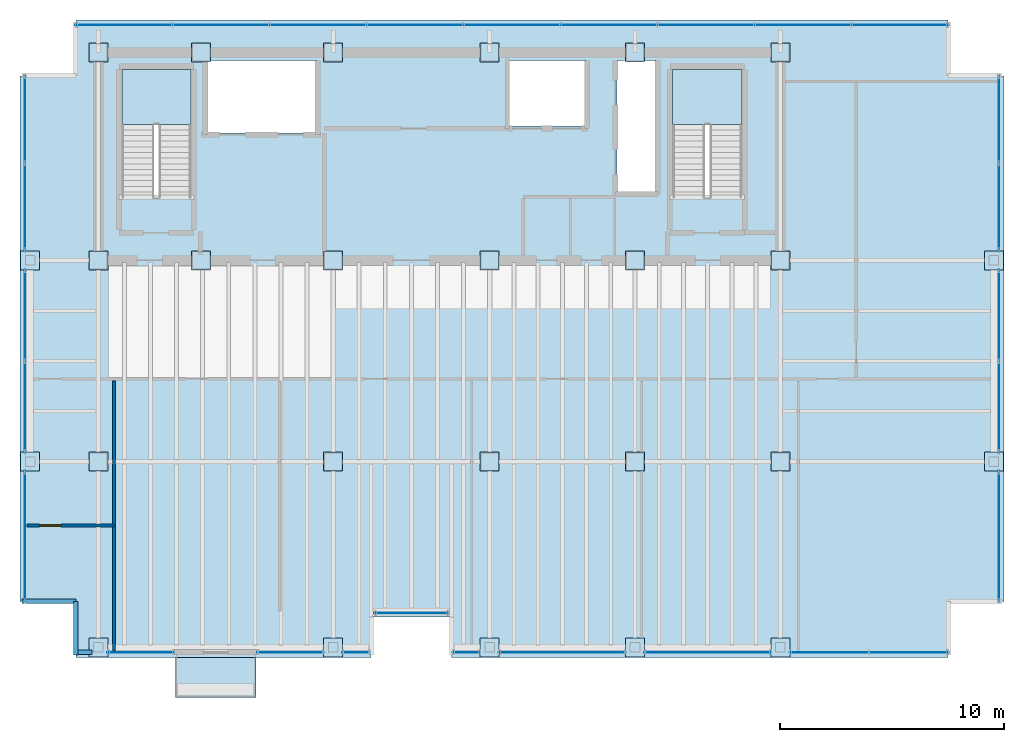
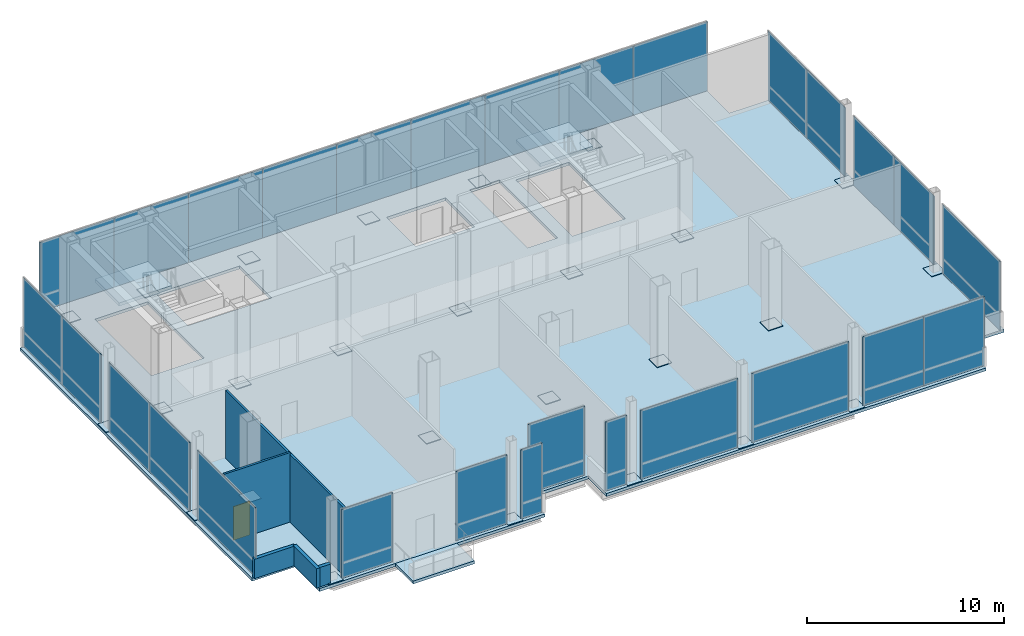
# One storey, part 12 of 15: 54 plates, 5 walls, 4 slabs, 1 door, 6 openings, 17 elements without a shape of their own.
"""IFC4 building model written with IfcOpenShell, lengths in metres."""

from ifc_helpers import new_model, si_unit, direction, frame, frame_2d, origin, origin_2d, place, context, subcontext, project, spatial, polyline, rectangle, outline, extrude, material, layer, layer_set, type_object, element, fill, aggregate, save


model = new_model("IFC4")

# Units and contexts
model_context = context("Model", 3, precision=1e-05, world=origin(), true_north=direction((0.0, 1.0)))
body_context = subcontext(model_context, "Body", "Model", "MODEL_VIEW")
ifc_project = project(units=[si_unit("LENGTHUNIT", "METRE"), si_unit("AREAUNIT", "SQUARE_METRE"), si_unit("VOLUMEUNIT", "CUBIC_METRE"), si_unit("PLANEANGLEUNIT", "RADIAN"), si_unit("MASSUNIT", "GRAM", prefix="KILO")], contexts=[model_context])

# Site, building, storey
site_placement = place(None, origin())
site = spatial("IfcSite", under=ifc_project, at=site_placement, CompositionType="ELEMENT")
building_placement = place(site_placement, origin())
building = spatial("IfcBuilding", under=site, at=building_placement, Name="Noeulbin Bourse Tower", CompositionType="ELEMENT")
storey_placement = place(building_placement, frame((0.0, 0.0, 206.10009765625)))
storey = spatial("IfcBuildingStorey", under=building, at=storey_placement, Name="L51", CompositionType="ELEMENT", Elevation=206.10009765625)

# Curtain wall, plate
ifc_material_1 = material(Name="High-Selectivity Low-Iron Glazing", Category="glass")
curtain_wall_type = type_object("IfcCurtainWallType", Name="CW-SYS-4", PredefinedType="NOTDEFINED", material=ifc_material_1)
curtain_wall_1_placement = place(storey_placement, origin())
curtain_wall_1 = element("IfcCurtainWall", 1, at=curtain_wall_1_placement, inside=storey, type_object=curtain_wall_type, Name="Unitised Curtain Wall CW-L51-SREC", PredefinedType="NOTDEFINED")
ifc_layer_1 = layer(ifc_material_1, 0.035888671875)
ifc_layer_set_1 = layer_set([ifc_layer_1], Name="High-Selectivity Low-Iron Glazing")
plate_type_1 = type_object("IfcPlateType", Name="CW-SYS-4-PNL", PredefinedType="CURTAIN_PANEL", material=ifc_layer_set_1)
plate_1_placement = place(storey_placement, frame((27.5, 13.22998046875, 0.0), z_axis=(0.0, 0.0, 1.0), x_axis=(1.0, 0.0, 0.0)))
plate_1 = element("IfcPlate", 2, at=plate_1_placement, type_object=plate_type_1, Name="Glazed Curtain Panel CW-L51-SREC-P00", PredefinedType="CURTAIN_PANEL", context=body_context, shape_type="SweptSolid", body=[
    extrude(rectangle(XDim=3.300048828125, YDim=0.035888671875, at=origin_2d()), origin(), (0.0, 0.0, 1.0), 4.280029296875),
])
aggregate(curtain_wall_1, [plate_1])

curtain_wall_2_placement = place(storey_placement, origin())
curtain_wall_2 = element("IfcCurtainWall", 3, at=curtain_wall_2_placement, inside=storey, type_object=curtain_wall_type, Name="Unitised Curtain Wall CW-L51-S1", PredefinedType="NOTDEFINED")
plate_2_placement = place(storey_placement, frame((15.405029296875, 11.469970703125, 0.0), z_axis=(0.0, 0.0, 1.0), x_axis=(1.0, 0.0, 0.0)))
plate_2 = element("IfcPlate", 4, at=plate_2_placement, type_object=plate_type_1, Name="Glazed Curtain Panel CW-L51-S1-P00", PredefinedType="CURTAIN_PANEL", context=body_context, shape_type="SweptSolid", body=[
    extrude(rectangle(XDim=2.989990234375, YDim=0.035888671875, at=origin_2d()), origin(), (0.0, 0.0, 1.0), 4.280029296875),
])
aggregate(curtain_wall_2, [plate_2])

curtain_wall_3_placement = place(storey_placement, origin())
curtain_wall_3 = element("IfcCurtainWall", 5, at=curtain_wall_3_placement, inside=storey, type_object=curtain_wall_type, Name="Unitised Curtain Wall CW-L51-S2-S1", PredefinedType="NOTDEFINED")
plate_3_placement = place(storey_placement, frame((22.094970703125, 11.469970703125, 0.0), z_axis=(0.0, 0.0, 1.0), x_axis=(1.0, 0.0, 0.0)))
plate_3 = element("IfcPlate", 6, at=plate_3_placement, type_object=plate_type_1, Name="Glazed Curtain Panel CW-L51-S2-S1-P00", PredefinedType="CURTAIN_PANEL", context=body_context, shape_type="SweptSolid", body=[
    extrude(rectangle(XDim=2.989990234375, YDim=0.035888671875, at=origin_2d()), origin(), (0.0, 0.0, 1.0), 4.280029296875),
])
aggregate(curtain_wall_3, [plate_3])

curtain_wall_4_placement = place(storey_placement, origin())
curtain_wall_4 = element("IfcCurtainWall", 7, at=curtain_wall_4_placement, inside=storey, type_object=curtain_wall_type, Name="Unitised Curtain Wall CW-L51-S2-S2", PredefinedType="NOTDEFINED")
plate_4_placement = place(storey_placement, frame((25.030029296875, 11.469970703125, 0.0), z_axis=(0.0, 0.0, 1.0), x_axis=(1.0, 0.0, 0.0)))
plate_4 = element("IfcPlate", 8, at=plate_4_placement, type_object=plate_type_1, Name="Glazed Curtain Panel CW-L51-S2-S2-P00", PredefinedType="CURTAIN_PANEL", context=body_context, shape_type="SweptSolid", body=[
    extrude(rectangle(XDim=1.239990234375, YDim=0.035888671875, at=origin_2d()), origin(), (0.0, 0.0, 1.0), 4.280029296875),
])
aggregate(curtain_wall_4, [plate_4])

curtain_wall_5_placement = place(storey_placement, origin())
curtain_wall_5 = element("IfcCurtainWall", 9, at=curtain_wall_5_placement, inside=storey, type_object=curtain_wall_type, Name="Unitised Curtain Wall CW-L51-S3-S1", PredefinedType="NOTDEFINED")
plate_5_placement = place(storey_placement, frame((29.969970703125, 11.469970703125, 0.0), z_axis=(0.0, 0.0, 1.0), x_axis=(1.0, 0.0, 0.0)))
plate_5 = element("IfcPlate", 10, at=plate_5_placement, type_object=plate_type_1, Name="Glazed Curtain Panel CW-L51-S3-S1-P00", PredefinedType="CURTAIN_PANEL", context=body_context, shape_type="SweptSolid", body=[
    extrude(rectangle(XDim=1.239990234375, YDim=0.035888671875, at=origin_2d()), origin(), (0.0, 0.0, 1.0), 4.280029296875),
])
aggregate(curtain_wall_5, [plate_5])

curtain_wall_6_placement = place(storey_placement, origin())
curtain_wall_6 = element("IfcCurtainWall", 11, at=curtain_wall_6_placement, inside=storey, type_object=curtain_wall_type, Name="Unitised Curtain Wall CW-L51-S3-S2", PredefinedType="NOTDEFINED")
plate_6_placement = place(storey_placement, frame((34.25, 11.469970703125, 0.0), z_axis=(0.0, 0.0, 1.0), x_axis=(1.0, 0.0, 0.0)))
plate_6 = element("IfcPlate", 12, at=plate_6_placement, type_object=plate_type_1, Name="Glazed Curtain Panel CW-L51-S3-S2-P00", PredefinedType="CURTAIN_PANEL", context=body_context, shape_type="SweptSolid", body=[
    extrude(rectangle(XDim=5.679931640625, YDim=0.035888671875, at=origin_2d()), origin(), (0.0, 0.0, 1.0), 4.280029296875),
])
aggregate(curtain_wall_6, [plate_6])

curtain_wall_7_placement = place(storey_placement, origin())
curtain_wall_7 = element("IfcCurtainWall", 13, at=curtain_wall_7_placement, inside=storey, type_object=curtain_wall_type, Name="Unitised Curtain Wall CW-L51-S3-S3", PredefinedType="NOTDEFINED")
plate_7_placement = place(storey_placement, frame((40.75, 11.469970703125, 0.0), z_axis=(0.0, 0.0, 1.0), x_axis=(1.0, 0.0, 0.0)))
plate_7 = element("IfcPlate", 14, at=plate_7_placement, type_object=plate_type_1, Name="Glazed Curtain Panel CW-L51-S3-S3-P00", PredefinedType="CURTAIN_PANEL", context=body_context, shape_type="SweptSolid", body=[
    extrude(rectangle(XDim=5.679931640625, YDim=0.035888671875, at=origin_2d()), origin(), (0.0, 0.0, 1.0), 4.280029296875),
])
aggregate(curtain_wall_7, [plate_7])

# Curtain wall, plates
curtain_wall_8_placement = place(storey_placement, origin())
curtain_wall_8 = element("IfcCurtainWall", 15, at=curtain_wall_8_placement, inside=storey, type_object=curtain_wall_type, Name="Unitised Curtain Wall CW-L51-S3-S4", PredefinedType="NOTDEFINED")
plate_8_placement = place(storey_placement, frame((46.1875, 11.469970703125, 0.0), z_axis=(0.0, 0.0, 1.0), x_axis=(1.0, 0.0, 0.0)))
plate_8 = element("IfcPlate", 16, at=plate_8_placement, type_object=plate_type_1, Name="Glazed Curtain Panel CW-L51-S3-S4-P00", PredefinedType="CURTAIN_PANEL", context=body_context, shape_type="SweptSolid", body=[
    extrude(rectangle(XDim=3.554931640625, YDim=0.035888671875, at=origin_2d()), origin(), (0.0, 0.0, 1.0), 4.280029296875),
])
plate_9_placement = place(storey_placement, frame((49.742431640625, 11.469970703125, 0.0), z_axis=(0.0, 0.0, 1.0), x_axis=(1.0, 0.0, 0.0)))
plate_9 = element("IfcPlate", 17, at=plate_9_placement, type_object=plate_type_1, Name="Glazed Curtain Panel CW-L51-S3-S4-P01", PredefinedType="CURTAIN_PANEL", context=body_context, shape_type="SweptSolid", body=[
    extrude(rectangle(XDim=3.554931640625, YDim=0.035888671875, at=origin_2d()), origin(), (0.0, 0.0, 1.0), 4.280029296875),
])
aggregate(curtain_wall_8, [plate_8, plate_9])

curtain_wall_9_placement = place(storey_placement, origin())
curtain_wall_9 = element("IfcCurtainWall", 18, at=curtain_wall_9_placement, inside=storey, type_object=curtain_wall_type, Name="Unitised Curtain Wall CW-L51-N", PredefinedType="NOTDEFINED")
plate_10_placement = place(storey_placement, frame((14.64892578125, 39.530029296875, 0.0), z_axis=(0.0, 0.0, 1.0), x_axis=(1.0, 0.0, 0.0)))
plate_10 = element("IfcPlate", 19, at=plate_10_placement, type_object=plate_type_1, Name="Glazed Curtain Panel CW-L51-N-P00", PredefinedType="CURTAIN_PANEL", context=body_context, shape_type="SweptSolid", body=[
    extrude(rectangle(XDim=4.337890625, YDim=0.035888671875, at=origin_2d()), origin(), (0.0, 0.0, 1.0), 4.280029296875),
])
plate_11_placement = place(storey_placement, frame((18.98681640625, 39.530029296875, 0.0), z_axis=(0.0, 0.0, 1.0), x_axis=(1.0, 0.0, 0.0)))
plate_11 = element("IfcPlate", 20, at=plate_11_placement, type_object=plate_type_1, Name="Glazed Curtain Panel CW-L51-N-P01", PredefinedType="CURTAIN_PANEL", context=body_context, shape_type="SweptSolid", body=[
    extrude(rectangle(XDim=4.337890625, YDim=0.035888671875, at=origin_2d()), origin(), (0.0, 0.0, 1.0), 4.280029296875),
])
plate_12_placement = place(storey_placement, frame((23.324462890625, 39.530029296875, 0.0), z_axis=(0.0, 0.0, 1.0), x_axis=(1.0, 0.0, 0.0)))
plate_12 = element("IfcPlate", 21, at=plate_12_placement, type_object=plate_type_1, Name="Glazed Curtain Panel CW-L51-N-P02", PredefinedType="CURTAIN_PANEL", context=body_context, shape_type="SweptSolid", body=[
    extrude(rectangle(XDim=4.337890625, YDim=0.035888671875, at=origin_2d()), origin(), (0.0, 0.0, 1.0), 4.280029296875),
])
plate_13_placement = place(storey_placement, frame((27.662109375, 39.530029296875, 0.0), z_axis=(0.0, 0.0, 1.0), x_axis=(1.0, 0.0, 0.0)))
plate_13 = element("IfcPlate", 22, at=plate_13_placement, type_object=plate_type_1, Name="Glazed Curtain Panel CW-L51-N-P03", PredefinedType="CURTAIN_PANEL", context=body_context, shape_type="SweptSolid", body=[
    extrude(rectangle(XDim=4.337890625, YDim=0.035888671875, at=origin_2d()), origin(), (0.0, 0.0, 1.0), 4.280029296875),
])
plate_14_placement = place(storey_placement, frame((32.0, 39.530029296875, 0.0), z_axis=(0.0, 0.0, 1.0), x_axis=(1.0, 0.0, 0.0)))
plate_14 = element("IfcPlate", 23, at=plate_14_placement, type_object=plate_type_1, Name="Glazed Curtain Panel CW-L51-N-P04", PredefinedType="CURTAIN_PANEL", context=body_context, shape_type="SweptSolid", body=[
    extrude(rectangle(XDim=4.337890625, YDim=0.035888671875, at=origin_2d()), origin(), (0.0, 0.0, 1.0), 4.280029296875),
])
plate_15_placement = place(storey_placement, frame((36.337890625, 39.530029296875, 0.0), z_axis=(0.0, 0.0, 1.0), x_axis=(1.0, 0.0, 0.0)))
plate_15 = element("IfcPlate", 24, at=plate_15_placement, type_object=plate_type_1, Name="Glazed Curtain Panel CW-L51-N-P05", PredefinedType="CURTAIN_PANEL", context=body_context, shape_type="SweptSolid", body=[
    extrude(rectangle(XDim=4.337890625, YDim=0.035888671875, at=origin_2d()), origin(), (0.0, 0.0, 1.0), 4.280029296875),
])
plate_16_placement = place(storey_placement, frame((40.675537109375, 39.530029296875, 0.0), z_axis=(0.0, 0.0, 1.0), x_axis=(1.0, 0.0, 0.0)))
plate_16 = element("IfcPlate", 25, at=plate_16_placement, type_object=plate_type_1, Name="Glazed Curtain Panel CW-L51-N-P06", PredefinedType="CURTAIN_PANEL", context=body_context, shape_type="SweptSolid", body=[
    extrude(rectangle(XDim=4.337890625, YDim=0.035888671875, at=origin_2d()), origin(), (0.0, 0.0, 1.0), 4.280029296875),
])
plate_17_placement = place(storey_placement, frame((45.01318359375, 39.530029296875, 0.0), z_axis=(0.0, 0.0, 1.0), x_axis=(1.0, 0.0, 0.0)))
plate_17 = element("IfcPlate", 26, at=plate_17_placement, type_object=plate_type_1, Name="Glazed Curtain Panel CW-L51-N-P07", PredefinedType="CURTAIN_PANEL", context=body_context, shape_type="SweptSolid", body=[
    extrude(rectangle(XDim=4.337890625, YDim=0.035888671875, at=origin_2d()), origin(), (0.0, 0.0, 1.0), 4.280029296875),
])
plate_18_placement = place(storey_placement, frame((49.35107421875, 39.530029296875, 0.0), z_axis=(0.0, 0.0, 1.0), x_axis=(1.0, 0.0, 0.0)))
plate_18 = element("IfcPlate", 27, at=plate_18_placement, type_object=plate_type_1, Name="Glazed Curtain Panel CW-L51-N-P08", PredefinedType="CURTAIN_PANEL", context=body_context, shape_type="SweptSolid", body=[
    extrude(rectangle(XDim=4.337890625, YDim=0.035888671875, at=origin_2d()), origin(), (0.0, 0.0, 1.0), 4.280029296875),
])
aggregate(curtain_wall_9, [plate_10, plate_11, plate_12, plate_13, plate_14, plate_15, plate_16, plate_17, plate_18])

# Curtain wall, plate
curtain_wall_10_placement = place(storey_placement, origin())
curtain_wall_10 = element("IfcCurtainWall", 28, at=curtain_wall_10_placement, inside=storey, type_object=curtain_wall_type, Name="Unitised Curtain Wall CW-L51-W-S1", PredefinedType="NOTDEFINED")
plate_19_placement = place(storey_placement, frame((10.219970703125, 16.659912109375, 0.0), z_axis=(0.0, 0.0, 1.0), x_axis=(0.0, 1.0, 0.0)))
plate_19 = element("IfcPlate", 29, at=plate_19_placement, type_object=plate_type_1, Name="Glazed Curtain Panel CW-L51-W-S1-P00", PredefinedType="CURTAIN_PANEL", context=body_context, shape_type="SweptSolid", body=[
    extrude(rectangle(XDim=5.860107421875, YDim=0.035888671875, at=origin_2d()), origin(), (0.0, 0.0, 1.0), 4.280029296875),
])
aggregate(curtain_wall_10, [plate_19])

# Curtain wall, plates
curtain_wall_11_placement = place(storey_placement, origin())
curtain_wall_11 = element("IfcCurtainWall", 30, at=curtain_wall_11_placement, inside=storey, type_object=curtain_wall_type, Name="Unitised Curtain Wall CW-L51-W-S2", PredefinedType="NOTDEFINED")
plate_20_placement = place(storey_placement, frame((10.219970703125, 22.455078125, 0.0), z_axis=(0.0, 0.0, 1.0), x_axis=(0.0, 1.0, 0.0)))
plate_20 = element("IfcPlate", 31, at=plate_20_placement, type_object=plate_type_1, Name="Glazed Curtain Panel CW-L51-W-S2-P00", PredefinedType="CURTAIN_PANEL", context=body_context, shape_type="SweptSolid", body=[
    extrude(rectangle(XDim=4.090087890625, YDim=0.035888671875, at=origin_2d()), origin(), (0.0, 0.0, 1.0), 4.280029296875),
])
plate_21_placement = place(storey_placement, frame((10.219970703125, 26.544921875, 0.0), z_axis=(0.0, 0.0, 1.0), x_axis=(0.0, 1.0, 0.0)))
plate_21 = element("IfcPlate", 32, at=plate_21_placement, type_object=plate_type_1, Name="Glazed Curtain Panel CW-L51-W-S2-P01", PredefinedType="CURTAIN_PANEL", context=body_context, shape_type="SweptSolid", body=[
    extrude(rectangle(XDim=4.090087890625, YDim=0.035888671875, at=origin_2d()), origin(), (0.0, 0.0, 1.0), 4.280029296875),
])
aggregate(curtain_wall_11, [plate_20, plate_21])

curtain_wall_12_placement = place(storey_placement, origin())
curtain_wall_12 = element("IfcCurtainWall", 33, at=curtain_wall_12_placement, inside=storey, type_object=curtain_wall_type, Name="Unitised Curtain Wall CW-L51-W-S3", PredefinedType="NOTDEFINED")
plate_22_placement = place(storey_placement, frame((10.219970703125, 31.375, 0.0), z_axis=(0.0, 0.0, 1.0), x_axis=(0.0, 1.0, 0.0)))
plate_22 = element("IfcPlate", 34, at=plate_22_placement, type_object=plate_type_1, Name="Glazed Curtain Panel CW-L51-W-S3-P00", PredefinedType="CURTAIN_PANEL", context=body_context, shape_type="SweptSolid", body=[
    extrude(rectangle(XDim=3.929931640625, YDim=0.035888671875, at=origin_2d()), origin(), (0.0, 0.0, 1.0), 4.280029296875),
])
plate_23_placement = place(storey_placement, frame((10.219970703125, 35.304931640625, 0.0), z_axis=(0.0, 0.0, 1.0), x_axis=(0.0, 1.0, 0.0)))
plate_23 = element("IfcPlate", 35, at=plate_23_placement, type_object=plate_type_1, Name="Glazed Curtain Panel CW-L51-W-S3-P01", PredefinedType="CURTAIN_PANEL", context=body_context, shape_type="SweptSolid", body=[
    extrude(rectangle(XDim=3.929931640625, YDim=0.035888671875, at=origin_2d()), origin(), (0.0, 0.0, 1.0), 4.280029296875),
])
aggregate(curtain_wall_12, [plate_22, plate_23])

# Curtain wall, plate
curtain_wall_13_placement = place(storey_placement, origin())
curtain_wall_13 = element("IfcCurtainWall", 36, at=curtain_wall_13_placement, inside=storey, type_object=curtain_wall_type, Name="Unitised Curtain Wall CW-L51-E-S1", PredefinedType="NOTDEFINED")
plate_24_placement = place(storey_placement, frame((53.780029296875, 16.659912109375, 0.0), z_axis=(0.0, 0.0, 1.0), x_axis=(0.0, 1.0, 0.0)))
plate_24 = element("IfcPlate", 37, at=plate_24_placement, type_object=plate_type_1, Name="Glazed Curtain Panel CW-L51-E-S1-P00", PredefinedType="CURTAIN_PANEL", context=body_context, shape_type="SweptSolid", body=[
    extrude(rectangle(XDim=5.860107421875, YDim=0.035888671875, at=origin_2d()), origin(), (0.0, 0.0, 1.0), 4.280029296875),
])
aggregate(curtain_wall_13, [plate_24])

# Curtain wall, plates
curtain_wall_14_placement = place(storey_placement, origin())
curtain_wall_14 = element("IfcCurtainWall", 38, at=curtain_wall_14_placement, inside=storey, type_object=curtain_wall_type, Name="Unitised Curtain Wall CW-L51-E-S2", PredefinedType="NOTDEFINED")
plate_25_placement = place(storey_placement, frame((53.780029296875, 22.455078125, 0.0), z_axis=(0.0, 0.0, 1.0), x_axis=(0.0, 1.0, 0.0)))
plate_25 = element("IfcPlate", 39, at=plate_25_placement, type_object=plate_type_1, Name="Glazed Curtain Panel CW-L51-E-S2-P00", PredefinedType="CURTAIN_PANEL", context=body_context, shape_type="SweptSolid", body=[
    extrude(rectangle(XDim=4.090087890625, YDim=0.035888671875, at=origin_2d()), origin(), (0.0, 0.0, 1.0), 4.280029296875),
])
plate_26_placement = place(storey_placement, frame((53.780029296875, 26.544921875, 0.0), z_axis=(0.0, 0.0, 1.0), x_axis=(0.0, 1.0, 0.0)))
plate_26 = element("IfcPlate", 40, at=plate_26_placement, type_object=plate_type_1, Name="Glazed Curtain Panel CW-L51-E-S2-P01", PredefinedType="CURTAIN_PANEL", context=body_context, shape_type="SweptSolid", body=[
    extrude(rectangle(XDim=4.090087890625, YDim=0.035888671875, at=origin_2d()), origin(), (0.0, 0.0, 1.0), 4.280029296875),
])
aggregate(curtain_wall_14, [plate_25, plate_26])

curtain_wall_15_placement = place(storey_placement, origin())
curtain_wall_15 = element("IfcCurtainWall", 41, at=curtain_wall_15_placement, inside=storey, type_object=curtain_wall_type, Name="Unitised Curtain Wall CW-L51-E-S3", PredefinedType="NOTDEFINED")
plate_27_placement = place(storey_placement, frame((53.780029296875, 31.375, 0.0), z_axis=(0.0, 0.0, 1.0), x_axis=(0.0, 1.0, 0.0)))
plate_27 = element("IfcPlate", 42, at=plate_27_placement, type_object=plate_type_1, Name="Glazed Curtain Panel CW-L51-E-S3-P00", PredefinedType="CURTAIN_PANEL", context=body_context, shape_type="SweptSolid", body=[
    extrude(rectangle(XDim=3.929931640625, YDim=0.035888671875, at=origin_2d()), origin(), (0.0, 0.0, 1.0), 4.280029296875),
])
plate_28_placement = place(storey_placement, frame((53.780029296875, 35.304931640625, 0.0), z_axis=(0.0, 0.0, 1.0), x_axis=(0.0, 1.0, 0.0)))
plate_28 = element("IfcPlate", 43, at=plate_28_placement, type_object=plate_type_1, Name="Glazed Curtain Panel CW-L51-E-S3-P01", PredefinedType="CURTAIN_PANEL", context=body_context, shape_type="SweptSolid", body=[
    extrude(rectangle(XDim=3.929931640625, YDim=0.035888671875, at=origin_2d()), origin(), (0.0, 0.0, 1.0), 4.280029296875),
])
aggregate(curtain_wall_15, [plate_27, plate_28])

# Plates
ifc_material_2 = material(Name="Steel S355", Category="steel")
ifc_layer_2 = layer(ifc_material_2, 0.030029296875)
ifc_layer_set_2 = layer_set([ifc_layer_2], Name="Steel S355")
plate_type_2 = type_object("IfcPlateType", Name="PLT-BN1", PredefinedType="USERDEFINED", material=ifc_layer_set_2)
for number, where, z_axis, x_axis, name in (
    (44, (13.5, 29.0, 0.0048828125), (0.0, 0.0, 1.0), (1.0, 0.0, 0.0), "Mega-Column Splice Plate BN1-L51-01"),
    (45, (13.5, 38.300048828125, 0.0048828125), (0.0, 0.0, 1.0), (1.0, 0.0, 0.0), "Mega-Column Splice Plate BN1-L51-02"),
    (46, (18.10009765625, 29.0, 0.0048828125), (0.0, 0.0, 1.0), (1.0, 0.0, 0.0), "Mega-Column Splice Plate BN1-L51-03"),
    (47, (18.10009765625, 38.300048828125, 0.0048828125), (0.0, 0.0, 1.0), (1.0, 0.0, 0.0), "Mega-Column Splice Plate BN1-L51-04"),
    (48, (24.0, 29.0, 0.0048828125), (0.0, 0.0, 1.0), (1.0, 0.0, 0.0), "Mega-Column Splice Plate BN1-L51-05"),
    (49, (24.0, 38.300048828125, 0.0048828125), (0.0, 0.0, 1.0), (1.0, 0.0, 0.0), "Mega-Column Splice Plate BN1-L51-06"),
    (50, (31.0, 29.0, 0.0048828125), (0.0, 0.0, 1.0), (1.0, 0.0, 0.0), "Mega-Column Splice Plate BN1-L51-07"),
    (51, (31.0, 38.300048828125, 0.0048828125), (0.0, 0.0, 1.0), (1.0, 0.0, 0.0), "Mega-Column Splice Plate BN1-L51-08"),
    (52, (37.5, 29.0, 0.0048828125), (0.0, 0.0, 1.0), (1.0, 0.0, 0.0), "Mega-Column Splice Plate BN1-L51-09"),
    (53, (37.5, 38.300048828125, 0.0048828125), (0.0, 0.0, 1.0), (1.0, 0.0, 0.0), "Mega-Column Splice Plate BN1-L51-10"),
    (54, (44.0, 29.0, 0.0048828125), (0.0, 0.0, 1.0), (1.0, 0.0, 0.0), "Mega-Column Splice Plate BN1-L51-11"),
    (55, (44.0, 38.300048828125, 0.0048828125), (0.0, 0.0, 1.0), (1.0, 0.0, 0.0), "Mega-Column Splice Plate BN1-L51-12"),
    (56, (13.5, 20.0, 0.0048828125), (0.0, 0.0, 1.0), (1.0, 0.0, 0.0), "Mega-Column Splice Plate BN1-L51-13"),
    (57, (24.0, 20.0, 0.0048828125), (0.0, 0.0, 1.0), (1.0, 0.0, 0.0), "Mega-Column Splice Plate BN1-L51-14"),
    (58, (31.0, 20.0, 0.0048828125), (0.0, 0.0, 1.0), (1.0, 0.0, 0.0), "Mega-Column Splice Plate BN1-L51-15"),
    (59, (37.5, 20.0, 0.0048828125), (0.0, 0.0, 1.0), (1.0, 0.0, 0.0), "Mega-Column Splice Plate BN1-L51-16"),
    (60, (44.0, 20.0, 0.0048828125), (0.0, 0.0, 1.0), (1.0, 0.0, 0.0), "Mega-Column Splice Plate BN1-L51-17"),
    (61, (10.449951171875, 20.0, 0.0048828125), (0.0, 0.0, 1.0), (1.0, 0.0, 0.0), "Perimeter Column Splice Plate BN1-L51-01"),
    (62, (10.449951171875, 29.0, 0.0048828125), (0.0, 0.0, 1.0), (1.0, 0.0, 0.0), "Perimeter Column Splice Plate BN1-L51-02"),
    (63, (13.5, 11.699951171875, 0.0048828125), (0.0, 0.0, 1.0), (1.0, 0.0, 0.0), "Perimeter Column Splice Plate BN1-L51-03"),
    (64, (24.0, 11.699951171875, 0.0048828125), (0.0, 0.0, 1.0), (1.0, 0.0, 0.0), "Perimeter Column Splice Plate BN1-L51-04"),
    (65, (31.0, 11.699951171875, 0.0048828125), (0.0, 0.0, 1.0), (1.0, 0.0, 0.0), "Perimeter Column Splice Plate BN1-L51-05"),
    (66, (37.5, 11.699951171875, 0.0048828125), (0.0, 0.0, 1.0), (1.0, 0.0, 0.0), "Perimeter Column Splice Plate BN1-L51-06"),
    (67, (44.0, 11.699951171875, 0.0048828125), (0.0, 0.0, 1.0), (1.0, 0.0, 0.0), "Perimeter Column Splice Plate BN1-L51-07"),
    (68, (53.550048828125, 20.0, 0.0048828125), (0.0, 0.0, 1.0), (1.0, 0.0, 0.0), "Perimeter Column Splice Plate BN1-L51-08"),
    (69, (53.550048828125, 29.0, 0.0048828125), (0.0, 0.0, 1.0), (1.0, 0.0, 0.0), "Perimeter Column Splice Plate BN1-L51-09"),
):
    element("IfcPlate", number, at=place(storey_placement, frame(where, z_axis=z_axis, x_axis=x_axis)), inside=storey, type_object=plate_type_2, Name=name, ObjectType="SPLICE PLATE", PredefinedType="USERDEFINED", context=body_context, shape_type="SweptSolid", body=[
        extrude(rectangle(XDim=0.85009765625, YDim=0.85009765625, at=origin_2d()), origin(), (0.0, 0.0, 1.0), 0.030029296875),
    ])

# Stair, slab
ifc_material_3 = material(Name="Concrete C40/50", Category="concrete")
stair_type = type_object("IfcStairType", Name="STR-CORE-1560", PredefinedType="HALF_TURN_STAIR", material=ifc_material_3)
stair_1_placement = place(storey_placement, origin())
stair_1 = element("IfcStair", 70, at=stair_1_placement, inside=storey, type_object=stair_type, Name="L51 ST-1", PredefinedType="HALF_TURN_STAIR")
ifc_layer_3 = layer(ifc_material_3, 0.199951171875)
ifc_layer_set_3 = layer_set([ifc_layer_3], Name="Concrete C40/50")
slab_type_1 = type_object("IfcSlabType", Name="SLB-LND-200", PredefinedType="LANDING", material=ifc_layer_set_3)
slab_1_placement = place(storey_placement, frame((0.0, 0.0, 2.2998046875)))
slab_1 = element("IfcSlab", 71, at=slab_1_placement, type_object=slab_type_1, Name="ST-1 landing 1", PredefinedType="LANDING", context=body_context, shape_type="SweptSolid", body=[
    extrude(outline(polyline([(17.64990234375, 35.0859375), (17.64990234375, 37.5439453125), (14.550048828125, 37.5439453125), (14.550048828125, 35.0859375), (17.64990234375, 35.0859375)])), origin(), (0.0, 0.0, 1.0), 0.2001953125),
])
aggregate(stair_1, [slab_1])

stair_2_placement = place(storey_placement, origin())
stair_2 = element("IfcStair", 72, at=stair_2_placement, inside=storey, type_object=stair_type, Name="L51 ST-2", PredefinedType="HALF_TURN_STAIR")
slab_2_placement = place(storey_placement, frame((0.0, 0.0, 2.2998046875)))
slab_2 = element("IfcSlab", 73, at=slab_2_placement, type_object=slab_type_1, Name="ST-2 landing 1", PredefinedType="LANDING", context=body_context, shape_type="SweptSolid", body=[
    extrude(outline(polyline([(42.280029296875, 35.0859375), (42.280029296875, 37.5439453125), (39.179931640625, 37.5439453125), (39.179931640625, 35.0859375), (42.280029296875, 35.0859375)])), origin(), (0.0, 0.0, 1.0), 0.2001953125),
])
aggregate(stair_2, [slab_2])

# Slab, openings
ifc_layer_4 = layer(ifc_material_3, 0.179931640625)
ifc_layer_set_4 = layer_set([ifc_layer_4], Name="Concrete C40/50")
slab_type_2 = type_object("IfcSlabType", Name="SLB-TYP-180", PredefinedType="FLOOR", material=ifc_layer_set_4)
slab_3_placement = place(storey_placement, frame((0.0, 0.0, -0.18017578125)))
slab_3 = element("IfcSlab", 74, at=slab_3_placement, inside=storey, type_object=slab_type_2, Name="Tower Structural Floor Slab L51", PredefinedType="FLOOR", context=body_context, shape_type="SweptSolid", body=[
    extrude(outline(polyline([(12.5, 11.25), (25.699951171875, 11.25), (25.699951171875, 13.050048828125), (29.300048828125, 13.050048828125), (29.300048828125, 11.25), (51.5, 11.25), (51.5, 13.75), (54.0, 13.75), (54.0, 37.25), (51.5, 37.25), (51.5, 39.75), (12.5, 39.75), (12.5, 37.25), (10.0, 37.25), (10.0, 13.75), (12.5, 13.75), (12.5, 11.25)]), holes=[polyline([(17.64990234375, 31.81005859375), (17.64990234375, 37.5439453125), (14.550048828125, 37.5439453125), (14.550048828125, 31.81005859375), (17.64990234375, 31.81005859375)]), polyline([(42.280029296875, 31.81005859375), (42.280029296875, 37.5439453125), (39.179931640625, 37.5439453125), (39.179931640625, 31.81005859375), (42.280029296875, 31.81005859375)]), polyline([(18.35009765625, 34.699951171875), (23.25, 34.699951171875), (23.25, 37.949951171875), (18.35009765625, 37.949951171875), (18.35009765625, 34.699951171875)]), polyline([(36.699951171875, 32.050048828125), (38.449951171875, 32.050048828125), (38.449951171875, 37.949951171875), (36.699951171875, 37.949951171875), (36.699951171875, 32.050048828125)]), polyline([(31.85009765625, 35.0), (35.300048828125, 35.0), (35.300048828125, 37.949951171875), (31.85009765625, 37.949951171875), (31.85009765625, 35.0)])]), origin(), (0.0, 0.0, 1.0), 0.18017578125),
])
opening_1_placement = place(slab_3_placement, frame((0.0, 0.0, -0.010009765625)))
element("IfcOpeningElement", 75, at=opening_1_placement, cuts=slab_3, Name="Slab Shaft Opening SLB-L51-TWR-1", PredefinedType="OPENING", context=body_context, shape_type="SweptSolid", body=[
    extrude(outline(polyline([(17.64990234375, 31.81005859375), (17.64990234375, 37.5439453125), (14.550048828125, 37.5439453125), (14.550048828125, 31.81005859375), (17.64990234375, 31.81005859375)])), origin(), (0.0, 0.0, 1.0), 0.2001953125),
])
opening_2_placement = place(slab_3_placement, frame((0.0, 0.0, -0.010009765625)))
element("IfcOpeningElement", 76, at=opening_2_placement, cuts=slab_3, Name="Slab Shaft Opening SLB-L51-TWR-2", PredefinedType="OPENING", context=body_context, shape_type="SweptSolid", body=[
    extrude(outline(polyline([(42.280029296875, 31.81005859375), (42.280029296875, 37.5439453125), (39.179931640625, 37.5439453125), (39.179931640625, 31.81005859375), (42.280029296875, 31.81005859375)])), origin(), (0.0, 0.0, 1.0), 0.2001953125),
])
opening_3_placement = place(slab_3_placement, frame((0.0, 0.0, -0.010009765625)))
element("IfcOpeningElement", 77, at=opening_3_placement, cuts=slab_3, Name="Slab Shaft Opening SLB-L51-TWR-3", PredefinedType="OPENING", context=body_context, shape_type="SweptSolid", body=[
    extrude(outline(polyline([(18.35009765625, 34.699951171875), (23.25, 34.699951171875), (23.25, 37.949951171875), (18.35009765625, 37.949951171875), (18.35009765625, 34.699951171875)])), origin(), (0.0, 0.0, 1.0), 0.2001953125),
])
opening_4_placement = place(slab_3_placement, frame((0.0, 0.0, -0.010009765625)))
element("IfcOpeningElement", 78, at=opening_4_placement, cuts=slab_3, Name="Slab Shaft Opening SLB-L51-TWR-4", PredefinedType="OPENING", context=body_context, shape_type="SweptSolid", body=[
    extrude(outline(polyline([(36.699951171875, 32.050048828125), (38.449951171875, 32.050048828125), (38.449951171875, 37.949951171875), (36.699951171875, 37.949951171875), (36.699951171875, 32.050048828125)])), origin(), (0.0, 0.0, 1.0), 0.2001953125),
])
opening_5_placement = place(slab_3_placement, frame((0.0, 0.0, -0.010009765625)))
element("IfcOpeningElement", 79, at=opening_5_placement, cuts=slab_3, Name="Slab Shaft Opening SLB-L51-TWR-5", PredefinedType="OPENING", context=body_context, shape_type="SweptSolid", body=[
    extrude(outline(polyline([(31.85009765625, 35.0), (35.300048828125, 35.0), (35.300048828125, 37.949951171875), (31.85009765625, 37.949951171875), (31.85009765625, 35.0)])), origin(), (0.0, 0.0, 1.0), 0.2001953125),
])

# Slab
slab_4_placement = place(storey_placement, frame((0.0, 0.0, -0.18017578125)))
element("IfcSlab", 80, at=slab_4_placement, inside=storey, type_object=slab_type_2, Name="Cantilevered Tree-Balcony Slab L51", PredefinedType="FLOOR", context=body_context, shape_type="SweptSolid", body=[
    extrude(outline(polyline([(16.949951171875, 9.449951171875), (20.550048828125, 9.449951171875), (20.550048828125, 11.25), (16.949951171875, 11.25), (16.949951171875, 9.449951171875)])), origin(), (0.0, 0.0, 1.0), 0.18017578125),
])

# Walls
ifc_layer_5 = layer(ifc_material_3, 0.199951171875)
ifc_layer_set_5 = layer_set([ifc_layer_5], Name="Concrete C40/50")
wall_type_1 = type_object("IfcWallType", Name="WAL-PAR-200", PredefinedType="PARAPET", material=ifc_layer_set_5)
wall_1_placement = place(storey_placement, frame((12.60009765625, 11.469970703125, 0.0), z_axis=(0.0, 0.0, 1.0), x_axis=(1.0, 0.0, 0.0)))
element("IfcWall", 81, at=wall_1_placement, inside=storey, type_object=wall_type_1, Name="Perimeter Pier Spandrel Parapet L51-S1", PredefinedType="PARAPET", context=body_context, shape_type="SweptSolid", body=[
    extrude(rectangle(XDim=0.6298828125, YDim=0.199951171875, at=frame_2d((0.31494140625, 0.0))), origin(), (0.0, 0.0, 1.0), 1.199951171875),
])
for number, where, z_axis, x_axis, name in (
    (82, (10.10009765625, 13.75, 0.0), (0.0, 0.0, 1.0), (1.0, 0.0, 0.0), "Corner Notch Parapet L51-SW1"),
    (83, (12.5, 13.75, 0.0), (0.0, 0.0, 1.0), (0.0, -1.0, 0.0), "Corner Notch Parapet L51-SW2"),
):
    element("IfcWall", number, at=place(storey_placement, frame(where, z_axis=z_axis, x_axis=x_axis)), inside=storey, type_object=wall_type_1, Name=name, PredefinedType="PARAPET", context=body_context, shape_type="SweptSolid", body=[
        extrude(rectangle(XDim=2.39990234375, YDim=0.199951171875, at=frame_2d((1.199951171875, 0.0))), origin(), (0.0, 0.0, 1.0), 1.199951171875),
    ])

# Wall, opening, door
ifc_material_4 = material(Name="Steel Stud Gypsum Partition", Category="steel")
ifc_layer_6 = layer(ifc_material_4, 0.1201171875)
ifc_layer_set_6 = layer_set([ifc_layer_6], Name="Steel Stud Gypsum Partition")
wall_type_2 = type_object("IfcWallType", Name="WAL-PRT-120", PredefinedType="PARTITIONING", material=ifc_layer_set_6)
wall_2_placement = place(storey_placement, frame((10.31005859375, 17.14404296875, 0.0), z_axis=(0.0, 0.0, 1.0), x_axis=(1.0, 0.0, 0.0)))
wall_2 = element("IfcWall", 84, at=wall_2_placement, inside=storey, type_object=wall_type_2, Name="Interior Partition Wall L51-06", PredefinedType="PARTITIONING", context=body_context, shape_type="SweptSolid", body=[
    extrude(rectangle(XDim=3.889892578125, YDim=0.1201171875, at=frame_2d((1.94482421875, 0.0))), origin(), (0.0, 0.0, 1.0), 4.2998046875),
])
opening_6_placement = place(wall_2_placement, frame((0.570068359375, 0.0, 0.0)))
opening_6 = element("IfcOpeningElement", 85, at=opening_6_placement, cuts=wall_2, Name="Opening ID-09", PredefinedType="OPENING", context=body_context, shape_type="SweptSolid", body=[
    extrude(rectangle(XDim=0.949951171875, YDim=2.080078125, at=frame_2d((0.47509765625, 1.0400390625))), frame((0.0, 0.070068359375, 0.0), z_axis=(0.0, -1.0, 0.0), x_axis=(1.0, 0.0, 0.0)), (0.0, 0.0, 1.0), 0.14013671875),
])
ifc_material_5 = material(Name="Acoustic Solid-Core Timber", Category="wood")
door_type = type_object("IfcDoorType", Name="DR-SINGLE-950", OperationType="SINGLE_SWING_LEFT", PredefinedType="DOOR", material=ifc_material_5)
door_placement = place(opening_6_placement, origin())
door = element("IfcDoor", 86, at=door_placement, inside=storey, type_object=door_type, Name="Interior Door L51-08", OperationType="SINGLE_SWING_LEFT", OverallHeight=2.080078125, OverallWidth=0.949951171875, PredefinedType="DOOR", context=body_context, shape_type="SweptSolid", body=[
    extrude(rectangle(XDim=0.949951171875, YDim=2.080078125, at=frame_2d((0.47509765625, 1.0400390625))), frame((0.0, 0.02490234375, 0.0), z_axis=(0.0, -1.0, 0.0), x_axis=(1.0, 0.0, 0.0)), (0.0, 0.0, 1.0), 0.050048828125),
])
fill(opening_6, door)

# Wall
wall_3_placement = place(storey_placement, frame((14.199951171875, 11.56005859375, 0.0), z_axis=(0.0, 0.0, 1.0), x_axis=(0.0, 1.0, 0.0)))
element("IfcWall", 87, at=wall_3_placement, inside=storey, type_object=wall_type_2, Name="Interior Partition Wall L51-14", PredefinedType="PARTITIONING", context=body_context, shape_type="SweptSolid", body=[
    extrude(rectangle(XDim=12.054931640625, YDim=0.1201171875, at=frame_2d((6.02734375, 0.0))), origin(), (0.0, 0.0, 1.0), 4.199951171875),
])

save(model, "model.ifc")
